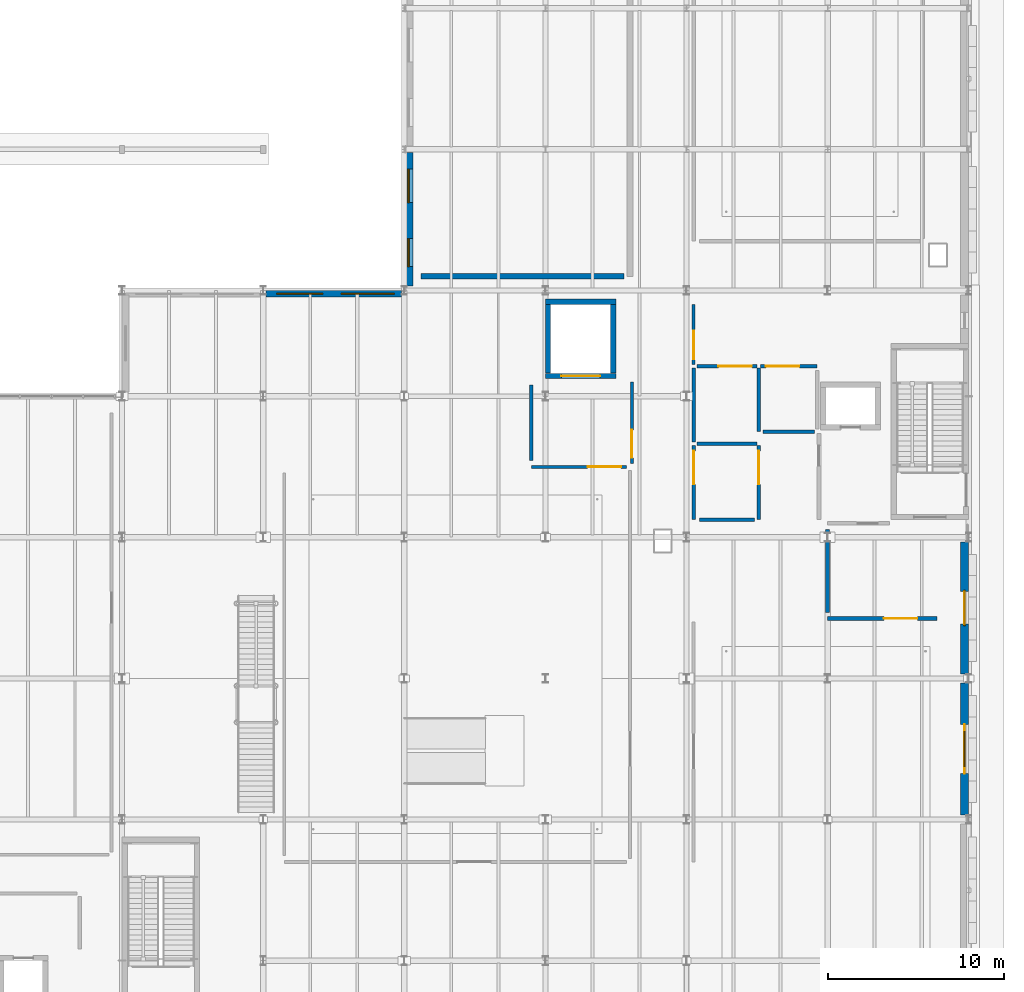
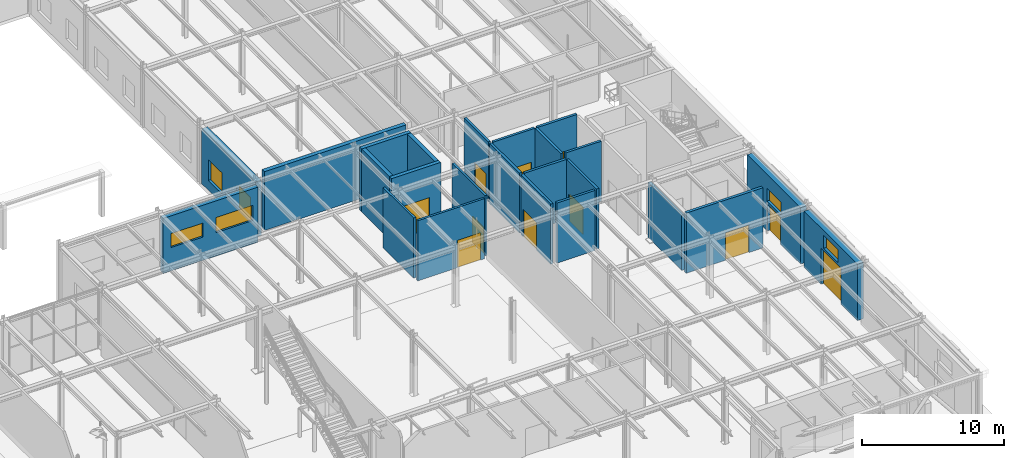
# One storey, part 85 of 129: 24 walls, 11 doors, 6 windows, 17 openings.
"""IFC4 building model written with IfcOpenShell, lengths in metres."""

from ifc_helpers import new_model, si_unit, direction, frame, frame_2d, origin, place, context, subcontext, project, spatial, rectangle, extrude, material, layer, layer_set, type_object, element, fill, save


model = new_model("IFC4")

# Units and contexts
model_context = context("Model", 3, precision=1e-05, world=origin(), true_north=direction((0.0, 1.0)))
body_context = subcontext(model_context, "Body", "Model", "MODEL_VIEW")
ifc_project = project(units=[si_unit("LENGTHUNIT", "METRE"), si_unit("AREAUNIT", "SQUARE_METRE"), si_unit("VOLUMEUNIT", "CUBIC_METRE"), si_unit("PLANEANGLEUNIT", "RADIAN"), si_unit("MASSUNIT", "GRAM", prefix="KILO")], contexts=[model_context])

# Site, building, storey
site_placement = place(None, origin())
site = spatial("IfcSite", under=ifc_project, at=site_placement, CompositionType="ELEMENT")
building_placement = place(site_placement, origin())
building = spatial("IfcBuilding", under=site, at=building_placement, Name="Sundkrona Museum", CompositionType="ELEMENT")
storey_placement = place(building_placement, origin())
storey = spatial("IfcBuildingStorey", under=building, at=storey_placement, Name="L00", CompositionType="ELEMENT", Elevation=0.0)

# Wall
ifc_material_1 = material(Name="Concrete C40/50", Category="concrete")
ifc_layer_1 = layer(ifc_material_1, 0.330078125)
ifc_layer_set_1 = layer_set([ifc_layer_1], Name="Concrete C40/50")
wall_type_1 = type_object("IfcWallType", Name="W-ARC-120", PredefinedType="SOLIDWALL", material=ifc_layer_set_1)
wall_1_placement = place(storey_placement, frame((136.949951171875, 46.800048828125, 0.0), z_axis=(0.0, 0.0, 1.0), x_axis=(1.0, 0.0, 0.0)))
element("IfcWall", 1, at=wall_1_placement, inside=storey, type_object=wall_type_1, Name="L00 Specimen Quarantine Enclosure Wall S", PredefinedType="SOLIDWALL", context=body_context, shape_type="SweptSolid", body=[
    extrude(rectangle(XDim=11.5, YDim=0.330078125, at=frame_2d((5.75, 0.0))), origin(), (0.0, 0.0, 1.0), 5.050048828125),
])

# Wall, opening, door
ifc_layer_2 = layer(ifc_material_1, 0.300048828125)
ifc_layer_set_2 = layer_set([ifc_layer_2], Name="Concrete C40/50")
wall_type_2 = type_object("IfcWallType", Name="W-CORE-300", PredefinedType="SHEAR", material=ifc_layer_set_2)
wall_2_placement = place(storey_placement, frame((144.0, 41.14990234375, 0.0), z_axis=(0.0, 0.0, 1.0), x_axis=(1.0, 0.0, 0.0)))
wall_2 = element("IfcWall", 2, at=wall_2_placement, inside=storey, type_object=wall_type_2, Name="L00 GL-1 Lift Shaft Wall South", PredefinedType="SHEAR", context=body_context, shape_type="SweptSolid", body=[
    extrude(rectangle(XDim=4.0, YDim=0.300048828125, at=frame_2d((2.0, 0.0))), origin(), (0.0, 0.0, 1.0), 5.39990234375),
])
opening_1_placement = place(wall_2_placement, frame((0.89990234375, 0.0, 0.0)))
opening_1 = element("IfcOpeningElement", 3, at=opening_1_placement, cuts=wall_2, Name="Opening LD-GL", PredefinedType="OPENING", context=body_context, shape_type="SweptSolid", body=[
    extrude(rectangle(XDim=2.199951171875, YDim=2.699951171875, at=frame_2d((1.10009765625, 1.35009765625))), frame((0.0, 0.159912109375, 0.0), z_axis=(0.0, -1.0, 0.0), x_axis=(1.0, 0.0, 0.0)), (0.0, 0.0, 1.0), 0.320068359375),
])
ifc_material_2 = material(Name="Heavy Stainless Steel Goods Lift Door", Category="steel")
door_type_1 = type_object("IfcDoorType", Name="LD-GL", OperationType="DOUBLE_DOOR_SLIDING", PredefinedType="DOOR", material=ifc_material_2)
door_1_placement = place(opening_1_placement, origin())
door_1 = element("IfcDoor", 4, at=door_1_placement, inside=storey, type_object=door_type_1, Name="L00 Goods Lift Landing Door DR-LIFT-GL-1-L00", OperationType="DOUBLE_DOOR_SLIDING", OverallHeight=2.699951171875, OverallWidth=2.199951171875, PredefinedType="DOOR", context=body_context, shape_type="SweptSolid", body=[
    extrude(rectangle(XDim=2.199951171875, YDim=2.699951171875, at=frame_2d((1.10009765625, 1.35009765625))), frame((0.0, 0.02490234375, 0.0), z_axis=(0.0, -1.0, 0.0), x_axis=(1.0, 0.0, 0.0)), (0.0, 0.0, 1.0), 0.050048828125),
])
fill(opening_1, door_1)

# Walls
wall_3_placement = place(storey_placement, frame((144.0, 45.35009765625, 0.0), z_axis=(0.0, 0.0, 1.0), x_axis=(1.0, 0.0, 0.0)))
element("IfcWall", 5, at=wall_3_placement, inside=storey, type_object=wall_type_2, Name="L00 GL-1 Lift Shaft Wall North", PredefinedType="SHEAR", context=body_context, shape_type="SweptSolid", body=[
    extrude(rectangle(XDim=4.0, YDim=0.300048828125, at=frame_2d((2.0, 0.0))), origin(), (0.0, 0.0, 1.0), 5.39990234375),
])
for number, where, z_axis, x_axis, name in (
    (6, (144.14990234375, 41.31005859375, 0.0), (0.0, 0.0, 1.0), (0.0, 1.0, 0.0), "L00 GL-1 Lift Shaft Wall West"),
    (7, (147.85009765625, 41.31005859375, 0.0), (0.0, 0.0, 1.0), (0.0, 1.0, 0.0), "L00 GL-1 Lift Shaft Wall East"),
):
    element("IfcWall", number, at=place(storey_placement, frame(where, z_axis=z_axis, x_axis=x_axis)), inside=storey, type_object=wall_type_2, Name=name, PredefinedType="SHEAR", context=body_context, shape_type="SweptSolid", body=[
        extrude(rectangle(XDim=3.8798828125, YDim=0.300048828125, at=frame_2d((1.93994140625, 0.0))), origin(), (0.0, 0.0, 1.0), 5.39990234375),
    ])

# Wall, opening, door
ifc_material_3 = material(Name="Autoclaved Aerated Masonry 225 mm", Category="masonry")
ifc_layer_3 = layer(ifc_material_3, 0.22509765625)
ifc_layer_set_3 = layer_set([ifc_layer_3], Name="Autoclaved Aerated Masonry 225 mm")
wall_type_3 = type_object("IfcWallType", Name="W-FF-225", PredefinedType="SOLIDWALL", material=ifc_layer_set_3)
wall_4_placement = place(storey_placement, frame((160.0, 27.39990234375, 0.0), z_axis=(0.0, 0.0, 1.0), x_axis=(1.0, 0.0, 0.0)))
wall_4 = element("IfcWall", 8, at=wall_4_placement, inside=storey, type_object=wall_type_3, Name="L00 Partition Fire Control Room / Earth Sciences Exhibition Hall", PredefinedType="SOLIDWALL", context=body_context, shape_type="SweptSolid", body=[
    extrude(rectangle(XDim=6.2099609375, YDim=0.22509765625, at=frame_2d((3.10498046875, 0.0))), origin(), (0.0, 0.0, 1.0), 5.159912109375),
])
opening_2_placement = place(wall_4_placement, frame((3.1923828125, 0.0, 0.0)))
opening_2 = element("IfcOpeningElement", 9, at=opening_2_placement, cuts=wall_4, Name="Opening D-AUD-190", PredefinedType="OPENING", context=body_context, shape_type="SweptSolid", body=[
    extrude(rectangle(XDim=1.89990234375, YDim=2.35009765625, at=frame_2d((0.949951171875, 1.175048828125))), frame((0.0, 0.12255859375, 0.0), z_axis=(0.0, -1.0, 0.0), x_axis=(1.0, 0.0, 0.0)), (0.0, 0.0, 1.0), 0.2451171875),
])
ifc_material_4 = material(Name="Acoustic Oak Fire Door", Category="other")
door_type_2 = type_object("IfcDoorType", Name="D-AUD-190", OperationType="DOUBLE_DOOR_SINGLE_SWING", PredefinedType="DOOR", material=ifc_material_4)
door_2_placement = place(opening_2_placement, origin())
door_2 = element("IfcDoor", 10, at=door_2_placement, inside=storey, type_object=door_type_2, Name="L00 Interior Door DR-ADJ-L00-0044", OperationType="DOUBLE_DOOR_SINGLE_SWING", OverallHeight=2.35009765625, OverallWidth=1.89990234375, PredefinedType="DOOR", context=body_context, shape_type="SweptSolid", body=[
    extrude(rectangle(XDim=1.89990234375, YDim=2.35009765625, at=frame_2d((0.949951171875, 1.175048828125))), frame((0.0, 0.02490234375, 0.0), z_axis=(0.0, -1.0, 0.0), x_axis=(1.0, 0.0, 0.0)), (0.0, 0.0, 1.0), 0.050048828125),
])
fill(opening_2, door_2)

# Wall
wall_5_placement = place(storey_placement, frame((160.0, 27.75, 0.0), z_axis=(0.0, 0.0, 1.0), x_axis=(0.0, 1.0, 0.0)))
element("IfcWall", 11, at=wall_5_placement, inside=storey, type_object=wall_type_3, Name="L00 Fire Control Room Enclosure Wall W", PredefinedType="SOLIDWALL", context=body_context, shape_type="SweptSolid", body=[
    extrude(rectangle(XDim=4.699951171875, YDim=0.22509765625, at=frame_2d((2.35009765625, 0.0))), origin(), (0.0, 0.0, 1.0), 4.719970703125),
])

# Wall, openings, door, window
ifc_material_5 = material(Name="Danian Limestone Ashlar Masonry 480 mm", Category="masonry")
ifc_layer_4 = layer(ifc_material_5, 0.47998046875)
ifc_layer_set_4 = layer_set([ifc_layer_4], Name="Danian Limestone Ashlar Masonry 480 mm")
wall_type_4 = type_object("IfcWallType", Name="W-LIM-480", PredefinedType="SOLIDWALL", material=ifc_layer_set_4)
wall_6_placement = place(storey_placement, frame((167.760009765625, 23.748046875, 0.0), z_axis=(0.0, 0.0, 1.0), x_axis=(0.0, -1.0, 0.0)))
wall_6 = element("IfcWall", 12, at=wall_6_placement, inside=storey, type_object=wall_type_4, Name="L00 Facade Wall 0006", PredefinedType="SOLIDWALL", context=body_context, shape_type="SweptSolid", body=[
    extrude(rectangle(XDim=7.49609375, YDim=0.47998046875, at=frame_2d((3.748046875, 0.0))), origin(), (0.0, 0.0, 1.0), 4.8349609375),
])
opening_3_placement = place(wall_6_placement, frame((2.347900390625, 0.0, 0.0)))
opening_3 = element("IfcOpeningElement", 13, at=opening_3_placement, cuts=wall_6, Name="Opening D-EX-280", PredefinedType="OPENING", context=body_context, shape_type="SweptSolid", body=[
    extrude(rectangle(XDim=2.800048828125, YDim=3.10009765625, at=frame_2d((1.39990234375, 1.550048828125))), frame((0.0, 0.25, 0.0), z_axis=(0.0, -1.0, 0.0), x_axis=(1.0, 0.0, 0.0)), (0.0, 0.0, 1.0), 0.5),
])
opening_4_placement = place(wall_6_placement, frame((2.748046875, 0.0, 3.320068359375)))
opening_4 = element("IfcOpeningElement", 14, at=opening_4_placement, cuts=wall_6, Name="Opening WN-CL-200x110", PredefinedType="OPENING", context=body_context, shape_type="SweptSolid", body=[
    extrude(rectangle(XDim=2.0, YDim=1.10009765625, at=frame_2d((1.0, 0.550048828125))), frame((0.0, 0.25, 0.0), z_axis=(0.0, -1.0, 0.0), x_axis=(1.0, 0.0, 0.0)), (0.0, 0.0, 1.0), 0.5),
])
ifc_material_6 = material(Name="Bronze and Triple-Glazed Entrance Door", Category="other")
door_type_3 = type_object("IfcDoorType", Name="D-EX-280", OperationType="DOUBLE_DOOR_SINGLE_SWING", PredefinedType="DOOR", material=ifc_material_6)
door_3_placement = place(opening_3_placement, origin())
door_3 = element("IfcDoor", 15, at=door_3_placement, inside=storey, type_object=door_type_3, Name="L00 Exterior Door D-EX-280 DR-FE-V1E-16", OperationType="DOUBLE_DOOR_SINGLE_SWING", OverallHeight=3.10009765625, OverallWidth=2.800048828125, PredefinedType="DOOR", context=body_context, shape_type="SweptSolid", body=[
    extrude(rectangle(XDim=2.800048828125, YDim=3.10009765625, at=frame_2d((1.39990234375, 1.550048828125))), frame((0.0, 0.02490234375, 0.0), z_axis=(0.0, -1.0, 0.0), x_axis=(1.0, 0.0, 0.0)), (0.0, 0.0, 1.0), 0.050048828125),
])
fill(opening_3, door_3)
ifc_material_7 = material(Name="Triple Low-E Argon Glazing in Bronze-Anodised Aluminium", Category="aluminium")
window_type_1 = type_object("IfcWindowType", Name="WN-CL-200x110", PartitioningType="DOUBLE_PANEL_HORIZONTAL", PredefinedType="WINDOW", material=ifc_material_7)
window_1_placement = place(opening_4_placement, origin())
window_1 = element("IfcWindow", 16, at=window_1_placement, inside=storey, type_object=window_type_1, Name="L00 Archive foyer clerestory window 2000x1100 WIN-L00-0005", OverallHeight=1.10009765625, OverallWidth=2.0, PartitioningType="DOUBLE_PANEL_HORIZONTAL", PredefinedType="WINDOW", context=body_context, shape_type="SweptSolid", body=[
    extrude(rectangle(XDim=2.0, YDim=1.10009765625, at=frame_2d((1.0, 0.550048828125))), frame((0.0, 0.030029296875, 0.0), z_axis=(0.0, -1.0, 0.0), x_axis=(1.0, 0.0, 0.0)), (0.0, 0.0, 1.0), 0.06005859375),
])
fill(opening_4, window_1)

wall_7_placement = place(storey_placement, frame((167.760009765625, 31.748046875, 0.0), z_axis=(0.0, 0.0, 1.0), x_axis=(0.0, -1.0, 0.0)))
wall_7 = element("IfcWall", 17, at=wall_7_placement, inside=storey, type_object=wall_type_4, Name="L00 Facade Wall 0007", PredefinedType="SOLIDWALL", context=body_context, shape_type="SweptSolid", body=[
    extrude(rectangle(XDim=7.49609375, YDim=0.47998046875, at=frame_2d((3.748046875, 0.0))), origin(), (0.0, 0.0, 1.0), 4.8349609375),
])
opening_5_placement = place(wall_7_placement, frame((2.822998046875, 0.0, 0.0)))
opening_5 = element("IfcOpeningElement", 18, at=opening_5_placement, cuts=wall_7, Name="Opening D-EX-185", PredefinedType="OPENING", context=body_context, shape_type="SweptSolid", body=[
    extrude(rectangle(XDim=1.85009765625, YDim=2.300048828125, at=frame_2d((0.925048828125, 1.14990234375))), frame((0.0, 0.25, 0.0), z_axis=(0.0, -1.0, 0.0), x_axis=(1.0, 0.0, 0.0)), (0.0, 0.0, 1.0), 0.5),
])
opening_6_placement = place(wall_7_placement, frame((2.748046875, 0.0, 2.52001953125)))
opening_6 = element("IfcOpeningElement", 19, at=opening_6_placement, cuts=wall_7, Name="Opening WN-CL-200x110", PredefinedType="OPENING", context=body_context, shape_type="SweptSolid", body=[
    extrude(rectangle(XDim=2.0, YDim=1.10009765625, at=frame_2d((1.0, 0.550048828125))), frame((0.0, 0.25, 0.0), z_axis=(0.0, -1.0, 0.0), x_axis=(1.0, 0.0, 0.0)), (0.0, 0.0, 1.0), 0.5),
])
ifc_material_8 = material(Name="Thermally Broken Aluminium Exit Door", Category="aluminium")
door_type_4 = type_object("IfcDoorType", Name="D-EX-185", OperationType="DOUBLE_DOOR_SINGLE_SWING", PredefinedType="DOOR", material=ifc_material_8)
door_4_placement = place(opening_5_placement, origin())
door_4 = element("IfcDoor", 20, at=door_4_placement, inside=storey, type_object=door_type_4, Name="L00 Exterior Door D-EX-185 DR-FE-V1E-24", OperationType="DOUBLE_DOOR_SINGLE_SWING", OverallHeight=2.300048828125, OverallWidth=1.85009765625, PredefinedType="DOOR", context=body_context, shape_type="SweptSolid", body=[
    extrude(rectangle(XDim=1.85009765625, YDim=2.300048828125, at=frame_2d((0.925048828125, 1.14990234375))), frame((0.0, 0.02490234375, 0.0), z_axis=(0.0, -1.0, 0.0), x_axis=(1.0, 0.0, 0.0)), (0.0, 0.0, 1.0), 0.050048828125),
])
fill(opening_5, door_4)
window_2_placement = place(opening_6_placement, origin())
window_2 = element("IfcWindow", 21, at=window_2_placement, inside=storey, type_object=window_type_1, Name="L00 Archive foyer clerestory window 2000x1100 WIN-L00-0006", OverallHeight=1.10009765625, OverallWidth=2.0, PartitioningType="DOUBLE_PANEL_HORIZONTAL", PredefinedType="WINDOW", context=body_context, shape_type="SweptSolid", body=[
    extrude(rectangle(XDim=2.0, YDim=1.10009765625, at=frame_2d((1.0, 0.550048828125))), frame((0.0, 0.030029296875, 0.0), z_axis=(0.0, -1.0, 0.0), x_axis=(1.0, 0.0, 0.0)), (0.0, 0.0, 1.0), 0.06005859375),
])
fill(opening_6, window_2)

# Wall, openings, windows
wall_8_placement = place(storey_placement, frame((136.239990234375, 46.251953125, 0.0), z_axis=(0.0, 0.0, 1.0), x_axis=(0.0, 1.0, 0.0)))
wall_8 = element("IfcWall", 22, at=wall_8_placement, inside=storey, type_object=wall_type_4, Name="L00 Facade Wall 0274", PredefinedType="SOLIDWALL", context=body_context, shape_type="SweptSolid", body=[
    extrude(rectangle(XDim=7.566162109375, YDim=0.47998046875, at=frame_2d((3.783203125, 0.0))), origin(), (0.0, 0.0, 1.0), 4.72509765625),
])
opening_7_placement = place(wall_8_placement, frame((1.091552734375, 0.0, 0.85009765625)))
opening_7 = element("IfcOpeningElement", 23, at=opening_7_placement, cuts=wall_8, Name="Opening WN-LB-160x180", PredefinedType="OPENING", context=body_context, shape_type="SweptSolid", body=[
    extrude(rectangle(XDim=1.60009765625, YDim=1.800048828125, at=frame_2d((0.800048828125, 0.89990234375))), frame((0.0, 0.25, 0.0), z_axis=(0.0, -1.0, 0.0), x_axis=(1.0, 0.0, 0.0)), (0.0, 0.0, 1.0), 0.5),
])
opening_8_placement = place(wall_8_placement, frame((4.724609375, 0.0, 0.85009765625)))
opening_8 = element("IfcOpeningElement", 24, at=opening_8_placement, cuts=wall_8, Name="Opening WN-LB-190x180", PredefinedType="OPENING", context=body_context, shape_type="SweptSolid", body=[
    extrude(rectangle(XDim=1.89990234375, YDim=1.800048828125, at=frame_2d((0.949951171875, 0.89990234375))), frame((0.0, 0.25, 0.0), z_axis=(0.0, -1.0, 0.0), x_axis=(1.0, 0.0, 0.0)), (0.0, 0.0, 1.0), 0.5),
])
window_type_2 = type_object("IfcWindowType", Name="WN-LB-160x180", PartitioningType="DOUBLE_PANEL_VERTICAL", PredefinedType="WINDOW", material=ifc_material_7)
window_3_placement = place(opening_7_placement, origin())
window_3 = element("IfcWindow", 25, at=window_3_placement, inside=storey, type_object=window_type_2, Name="L00 Conservation laboratory deep-reveal window 1600x1800 WIN-L00-0375", OverallHeight=1.800048828125, OverallWidth=1.60009765625, PartitioningType="DOUBLE_PANEL_VERTICAL", PredefinedType="WINDOW", context=body_context, shape_type="SweptSolid", body=[
    extrude(rectangle(XDim=1.60009765625, YDim=1.800048828125, at=frame_2d((0.800048828125, 0.89990234375))), frame((0.0, 0.030029296875, 0.0), z_axis=(0.0, -1.0, 0.0), x_axis=(1.0, 0.0, 0.0)), (0.0, 0.0, 1.0), 0.06005859375),
])
fill(opening_7, window_3)
window_type_3 = type_object("IfcWindowType", Name="WN-LB-190x180", PartitioningType="DOUBLE_PANEL_VERTICAL", PredefinedType="WINDOW", material=ifc_material_7)
window_4_placement = place(opening_8_placement, origin())
window_4 = element("IfcWindow", 26, at=window_4_placement, inside=storey, type_object=window_type_3, Name="L00 Analytical studio bench-height window 1900x1800 WIN-L00-0376", OverallHeight=1.800048828125, OverallWidth=1.89990234375, PartitioningType="DOUBLE_PANEL_VERTICAL", PredefinedType="WINDOW", context=body_context, shape_type="SweptSolid", body=[
    extrude(rectangle(XDim=1.89990234375, YDim=1.800048828125, at=frame_2d((0.949951171875, 0.89990234375))), frame((0.0, 0.030029296875, 0.0), z_axis=(0.0, -1.0, 0.0), x_axis=(1.0, 0.0, 0.0)), (0.0, 0.0, 1.0), 0.06005859375),
])
fill(opening_8, window_4)

# Wall, opening, door
ifc_material_9 = material(Name="Fire-rated Gypsum Partition Board 175 mm", Category="other")
ifc_layer_5 = layer(ifc_material_9, 0.175048828125)
ifc_layer_set_5 = layer_set([ifc_layer_5], Name="Fire-rated Gypsum Partition Board 175 mm")
wall_type_5 = type_object("IfcWallType", Name="W-PT-175", PredefinedType="PARTITIONING", material=ifc_layer_set_5)
wall_9_placement = place(storey_placement, frame((148.89990234375, 36.199951171875, 0.0), z_axis=(0.0, 0.0, 1.0), x_axis=(0.0, 1.0, 0.0)))
wall_9 = element("IfcWall", 27, at=wall_9_placement, inside=storey, type_object=wall_type_5, Name="L00 Partition Goods Lift Lobby / East Logistics Corridor", PredefinedType="PARTITIONING", context=body_context, shape_type="SweptSolid", body=[
    extrude(rectangle(XDim=4.60009765625, YDim=0.175048828125, at=frame_2d((2.300048828125, 0.0))), origin(), (0.0, 0.0, 1.0), 5.159912109375),
])
opening_9_placement = place(wall_9_placement, frame((0.300048828125, 0.0, 0.0)))
opening_9 = element("IfcOpeningElement", 28, at=opening_9_placement, cuts=wall_9, Name="Opening D-CMP-160", PredefinedType="OPENING", context=body_context, shape_type="SweptSolid", body=[
    extrude(rectangle(XDim=1.60009765625, YDim=2.25, at=frame_2d((0.800048828125, 1.125))), frame((0.0, 0.097412109375, 0.0), z_axis=(0.0, -1.0, 0.0), x_axis=(1.0, 0.0, 0.0)), (0.0, 0.0, 1.0), 0.195068359375),
])
ifc_material_10 = material(Name="Glazed Steel Fire Screen Door", Category="steel")
door_type_5 = type_object("IfcDoorType", Name="D-CMP-160", OperationType="DOUBLE_DOOR_SINGLE_SWING", PredefinedType="DOOR", material=ifc_material_10)
door_5_placement = place(opening_9_placement, origin())
door_5 = element("IfcDoor", 29, at=door_5_placement, inside=storey, type_object=door_type_5, Name="L00 Interior Door DR-ADJ-L00-0029", OperationType="DOUBLE_DOOR_SINGLE_SWING", OverallHeight=2.25, OverallWidth=1.60009765625, PredefinedType="DOOR", context=body_context, shape_type="SweptSolid", body=[
    extrude(rectangle(XDim=1.60009765625, YDim=2.25, at=frame_2d((0.800048828125, 1.125))), frame((0.0, 0.02490234375, 0.0), z_axis=(0.0, -1.0, 0.0), x_axis=(1.0, 0.0, 0.0)), (0.0, 0.0, 1.0), 0.050048828125),
])
fill(opening_9, door_5)

wall_10_placement = place(storey_placement, frame((143.199951171875, 36.0, 0.0), z_axis=(0.0, 0.0, 1.0), x_axis=(1.0, 0.0, 0.0)))
wall_10 = element("IfcWall", 30, at=wall_10_placement, inside=storey, type_object=wall_type_5, Name="L00 Partition Goods Lift Lobby / Natural History Gallery", PredefinedType="PARTITIONING", context=body_context, shape_type="SweptSolid", body=[
    extrude(rectangle(XDim=5.400146484375, YDim=0.175048828125, at=frame_2d((2.7001953125, 0.0))), origin(), (0.0, 0.0, 1.0), 5.159912109375),
])
opening_10_placement = place(wall_10_placement, frame((3.199951171875, 0.0, 0.0)))
opening_10 = element("IfcOpeningElement", 31, at=opening_10_placement, cuts=wall_10, Name="Opening D-AUD-190", PredefinedType="OPENING", context=body_context, shape_type="SweptSolid", body=[
    extrude(rectangle(XDim=1.89990234375, YDim=2.35009765625, at=frame_2d((0.949951171875, 1.175048828125))), frame((0.0, 0.097412109375, 0.0), z_axis=(0.0, -1.0, 0.0), x_axis=(1.0, 0.0, 0.0)), (0.0, 0.0, 1.0), 0.195068359375),
])
door_6_placement = place(opening_10_placement, origin())
door_6 = element("IfcDoor", 32, at=door_6_placement, inside=storey, type_object=door_type_2, Name="L00 Interior Door DR-ADJ-L00-0030", OperationType="DOUBLE_DOOR_SINGLE_SWING", OverallHeight=2.35009765625, OverallWidth=1.89990234375, PredefinedType="DOOR", context=body_context, shape_type="SweptSolid", body=[
    extrude(rectangle(XDim=1.89990234375, YDim=2.35009765625, at=frame_2d((0.949951171875, 1.175048828125))), frame((0.0, 0.02490234375, 0.0), z_axis=(0.0, -1.0, 0.0), x_axis=(1.0, 0.0, 0.0)), (0.0, 0.0, 1.0), 0.050048828125),
])
fill(opening_10, door_6)

wall_11_placement = place(storey_placement, frame((152.39990234375, 41.800048828125, 0.0), z_axis=(0.0, 0.0, 1.0), x_axis=(0.0, 1.0, 0.0)))
wall_11 = element("IfcWall", 33, at=wall_11_placement, inside=storey, type_object=wall_type_5, Name="L00 Partition Sanitary WC Lobby / East Logistics Corridor", PredefinedType="PARTITIONING", context=body_context, shape_type="SweptSolid", body=[
    extrude(rectangle(XDim=3.39990234375, YDim=0.175048828125, at=frame_2d((1.699951171875, 0.0))), origin(), (0.0, 0.0, 1.0), 5.159912109375),
])
opening_11_placement = place(wall_11_placement, frame((0.300048828125, 0.0, 0.0)))
opening_11 = element("IfcOpeningElement", 34, at=opening_11_placement, cuts=wall_11, Name="Opening D-CMP-160", PredefinedType="OPENING", context=body_context, shape_type="SweptSolid", body=[
    extrude(rectangle(XDim=1.60009765625, YDim=2.25, at=frame_2d((0.800048828125, 1.125))), frame((0.0, 0.097412109375, 0.0), z_axis=(0.0, -1.0, 0.0), x_axis=(1.0, 0.0, 0.0)), (0.0, 0.0, 1.0), 0.195068359375),
])
door_7_placement = place(opening_11_placement, origin())
door_7 = element("IfcDoor", 35, at=door_7_placement, inside=storey, type_object=door_type_5, Name="L00 Interior Door DR-ADJ-L00-0033", OperationType="DOUBLE_DOOR_SINGLE_SWING", OverallHeight=2.25, OverallWidth=1.60009765625, PredefinedType="DOOR", context=body_context, shape_type="SweptSolid", body=[
    extrude(rectangle(XDim=1.60009765625, YDim=2.25, at=frame_2d((0.800048828125, 1.125))), frame((0.0, 0.02490234375, 0.0), z_axis=(0.0, -1.0, 0.0), x_axis=(1.0, 0.0, 0.0)), (0.0, 0.0, 1.0), 0.050048828125),
])
fill(opening_11, door_7)

# Wall
wall_12_placement = place(storey_placement, frame((143.199951171875, 36.35009765625, 0.0), z_axis=(0.0, 0.0, 1.0), x_axis=(0.0, 1.0, 0.0)))
element("IfcWall", 36, at=wall_12_placement, inside=storey, type_object=wall_type_5, Name="L00 Goods Lift Lobby Enclosure Wall W", PredefinedType="PARTITIONING", context=body_context, shape_type="SweptSolid", body=[
    extrude(rectangle(XDim=4.2998046875, YDim=0.175048828125, at=frame_2d((2.14990234375, 0.0))), origin(), (0.0, 0.0, 1.0), 5.159912109375),
])

# Wall, opening, door
ifc_material_11 = material(Name="Moisture-resistant Tile Partition 200 mm", Category="other")
ifc_layer_6 = layer(ifc_material_11, 0.199951171875)
ifc_layer_set_6 = layer_set([ifc_layer_6], Name="Moisture-resistant Tile Partition 200 mm")
wall_type_6 = type_object("IfcWallType", Name="W-PT-200", PredefinedType="PARTITIONING", material=ifc_layer_set_6)
wall_13_placement = place(storey_placement, frame((152.60009765625, 41.699951171875, 0.0), z_axis=(0.0, 0.0, 1.0), x_axis=(1.0, 0.0, 0.0)))
wall_13 = element("IfcWall", 37, at=wall_13_placement, inside=storey, type_object=wall_type_6, Name="L00 Partition Sanitary WC Lobby / Female Toilet", PredefinedType="PARTITIONING", context=body_context, shape_type="SweptSolid", body=[
    extrude(rectangle(XDim=3.39990234375, YDim=0.199951171875, at=frame_2d((1.699951171875, 0.0))), origin(), (0.0, 0.0, 1.0), 5.159912109375),
])
opening_12_placement = place(wall_13_placement, frame((1.199951171875, 0.0, 0.0)))
opening_12 = element("IfcOpeningElement", 38, at=opening_12_placement, cuts=wall_13, Name="Opening D-AUD-190", PredefinedType="OPENING", context=body_context, shape_type="SweptSolid", body=[
    extrude(rectangle(XDim=1.89990234375, YDim=2.35009765625, at=frame_2d((0.949951171875, 1.175048828125))), frame((0.0, 0.10986328125, 0.0), z_axis=(0.0, -1.0, 0.0), x_axis=(1.0, 0.0, 0.0)), (0.0, 0.0, 1.0), 0.219970703125),
])
door_8_placement = place(opening_12_placement, origin())
door_8 = element("IfcDoor", 39, at=door_8_placement, inside=storey, type_object=door_type_2, Name="L00 Interior Door DR-ADJ-L00-0031", OperationType="DOUBLE_DOOR_SINGLE_SWING", OverallHeight=2.35009765625, OverallWidth=1.89990234375, PredefinedType="DOOR", context=body_context, shape_type="SweptSolid", body=[
    extrude(rectangle(XDim=1.89990234375, YDim=2.35009765625, at=frame_2d((0.949951171875, 1.175048828125))), frame((0.0, 0.02490234375, 0.0), z_axis=(0.0, -1.0, 0.0), x_axis=(1.0, 0.0, 0.0)), (0.0, 0.0, 1.0), 0.050048828125),
])
fill(opening_12, door_8)

wall_14_placement = place(storey_placement, frame((156.199951171875, 41.699951171875, 0.0), z_axis=(0.0, 0.0, 1.0), x_axis=(1.0, 0.0, 0.0)))
wall_14 = element("IfcWall", 40, at=wall_14_placement, inside=storey, type_object=wall_type_6, Name="L00 Partition Sanitary WC Lobby / Accessible WC", PredefinedType="PARTITIONING", context=body_context, shape_type="SweptSolid", body=[
    extrude(rectangle(XDim=3.199951171875, YDim=0.199951171875, at=frame_2d((1.60009765625, 0.0))), origin(), (0.0, 0.0, 1.0), 5.159912109375),
])
opening_13_placement = place(wall_14_placement, frame((0.300048828125, 0.0, 0.0)))
opening_13 = element("IfcOpeningElement", 41, at=opening_13_placement, cuts=wall_14, Name="Opening D-AUD-190", PredefinedType="OPENING", context=body_context, shape_type="SweptSolid", body=[
    extrude(rectangle(XDim=1.89990234375, YDim=2.35009765625, at=frame_2d((0.949951171875, 1.175048828125))), frame((0.0, 0.10986328125, 0.0), z_axis=(0.0, -1.0, 0.0), x_axis=(1.0, 0.0, 0.0)), (0.0, 0.0, 1.0), 0.219970703125),
])
door_9_placement = place(opening_13_placement, origin())
door_9 = element("IfcDoor", 42, at=door_9_placement, inside=storey, type_object=door_type_2, Name="L00 Interior Door DR-ADJ-L00-0032", OperationType="DOUBLE_DOOR_SINGLE_SWING", OverallHeight=2.35009765625, OverallWidth=1.89990234375, PredefinedType="DOOR", context=body_context, shape_type="SweptSolid", body=[
    extrude(rectangle(XDim=1.89990234375, YDim=2.35009765625, at=frame_2d((0.949951171875, 1.175048828125))), frame((0.0, 0.02490234375, 0.0), z_axis=(0.0, -1.0, 0.0), x_axis=(1.0, 0.0, 0.0)), (0.0, 0.0, 1.0), 0.050048828125),
])
fill(opening_13, door_9)

# Wall
wall_15_placement = place(storey_placement, frame((152.60009765625, 37.300048828125, 0.0), z_axis=(0.0, 0.0, 1.0), x_axis=(1.0, 0.0, 0.0)))
element("IfcWall", 43, at=wall_15_placement, inside=storey, type_object=wall_type_6, Name="L00 Partition Male Toilet / Female Toilet", PredefinedType="PARTITIONING", context=body_context, shape_type="SweptSolid", body=[
    extrude(rectangle(XDim=3.39990234375, YDim=0.199951171875, at=frame_2d((1.699951171875, 0.0))), origin(), (0.0, 0.0, 1.0), 5.159912109375),
])

# Wall, opening, door
wall_16_placement = place(storey_placement, frame((152.39990234375, 33.0, 0.0), z_axis=(0.0, 0.0, 1.0), x_axis=(0.0, 1.0, 0.0)))
wall_16 = element("IfcWall", 44, at=wall_16_placement, inside=storey, type_object=wall_type_6, Name="L00 Partition Male Toilet / East Logistics Corridor", PredefinedType="PARTITIONING", context=body_context, shape_type="SweptSolid", body=[
    extrude(rectangle(XDim=4.199951171875, YDim=0.199951171875, at=frame_2d((2.10009765625, 0.0))), origin(), (0.0, 0.0, 1.0), 5.159912109375),
])
opening_14_placement = place(wall_16_placement, frame((2.0, 0.0, 0.0)))
opening_14 = element("IfcOpeningElement", 45, at=opening_14_placement, cuts=wall_16, Name="Opening D-AUD-190", PredefinedType="OPENING", context=body_context, shape_type="SweptSolid", body=[
    extrude(rectangle(XDim=1.89990234375, YDim=2.35009765625, at=frame_2d((0.949951171875, 1.175048828125))), frame((0.0, 0.10986328125, 0.0), z_axis=(0.0, -1.0, 0.0), x_axis=(1.0, 0.0, 0.0)), (0.0, 0.0, 1.0), 0.219970703125),
])
door_10_placement = place(opening_14_placement, origin())
door_10 = element("IfcDoor", 46, at=door_10_placement, inside=storey, type_object=door_type_2, Name="L00 Interior Door DR-ADJ-L00-0034", OperationType="DOUBLE_DOOR_SINGLE_SWING", OverallHeight=2.35009765625, OverallWidth=1.89990234375, PredefinedType="DOOR", context=body_context, shape_type="SweptSolid", body=[
    extrude(rectangle(XDim=1.89990234375, YDim=2.35009765625, at=frame_2d((0.949951171875, 1.175048828125))), frame((0.0, 0.02490234375, 0.0), z_axis=(0.0, -1.0, 0.0), x_axis=(1.0, 0.0, 0.0)), (0.0, 0.0, 1.0), 0.050048828125),
])
fill(opening_14, door_10)

wall_17_placement = place(storey_placement, frame((156.10009765625, 33.0, 0.0), z_axis=(0.0, 0.0, 1.0), x_axis=(0.0, 1.0, 0.0)))
wall_17 = element("IfcWall", 47, at=wall_17_placement, inside=storey, type_object=wall_type_6, Name="L00 Partition Male Toilet / Core 1 Ground Link", PredefinedType="PARTITIONING", context=body_context, shape_type="SweptSolid", body=[
    extrude(rectangle(XDim=4.199951171875, YDim=0.199951171875, at=frame_2d((2.10009765625, 0.0))), origin(), (0.0, 0.0, 1.0), 5.159912109375),
])
opening_15_placement = place(wall_17_placement, frame((2.0, 0.0, 0.0)))
opening_15 = element("IfcOpeningElement", 48, at=opening_15_placement, cuts=wall_17, Name="Opening D-AUD-190", PredefinedType="OPENING", context=body_context, shape_type="SweptSolid", body=[
    extrude(rectangle(XDim=1.89990234375, YDim=2.35009765625, at=frame_2d((0.949951171875, 1.175048828125))), frame((0.0, 0.10986328125, 0.0), z_axis=(0.0, -1.0, 0.0), x_axis=(1.0, 0.0, 0.0)), (0.0, 0.0, 1.0), 0.219970703125),
])
door_11_placement = place(opening_15_placement, origin())
door_11 = element("IfcDoor", 49, at=door_11_placement, inside=storey, type_object=door_type_2, Name="L00 Interior Door DR-ADJ-L00-0035", OperationType="DOUBLE_DOOR_SINGLE_SWING", OverallHeight=2.35009765625, OverallWidth=1.89990234375, PredefinedType="DOOR", context=body_context, shape_type="SweptSolid", body=[
    extrude(rectangle(XDim=1.89990234375, YDim=2.35009765625, at=frame_2d((0.949951171875, 1.175048828125))), frame((0.0, 0.02490234375, 0.0), z_axis=(0.0, -1.0, 0.0), x_axis=(1.0, 0.0, 0.0)), (0.0, 0.0, 1.0), 0.050048828125),
])
fill(opening_15, door_11)

# Walls
wall_18_placement = place(storey_placement, frame((156.10009765625, 38.0, 0.0), z_axis=(0.0, 0.0, 1.0), x_axis=(0.0, 1.0, 0.0)))
element("IfcWall", 50, at=wall_18_placement, inside=storey, type_object=wall_type_6, Name="L00 Partition Female Toilet / Accessible WC", PredefinedType="PARTITIONING", context=body_context, shape_type="SweptSolid", body=[
    extrude(rectangle(XDim=3.60009765625, YDim=0.199951171875, at=frame_2d((1.800048828125, 0.0))), origin(), (0.0, 0.0, 1.0), 5.159912109375),
])
wall_19_placement = place(storey_placement, frame((152.39990234375, 37.39990234375, 0.0), z_axis=(0.0, 0.0, 1.0), x_axis=(0.0, 1.0, 0.0)))
element("IfcWall", 51, at=wall_19_placement, inside=storey, type_object=wall_type_6, Name="L00 Partition Female Toilet / East Logistics Corridor", PredefinedType="PARTITIONING", context=body_context, shape_type="SweptSolid", body=[
    extrude(rectangle(XDim=4.2001953125, YDim=0.199951171875, at=frame_2d((2.10009765625, 0.0))), origin(), (0.0, 0.0, 1.0), 5.159912109375),
])
wall_20_placement = place(storey_placement, frame((152.75, 33.0, 0.0), z_axis=(0.0, 0.0, 1.0), x_axis=(1.0, 0.0, 0.0)))
element("IfcWall", 52, at=wall_20_placement, inside=storey, type_object=wall_type_6, Name="L00 Male Toilet Enclosure Wall S", PredefinedType="PARTITIONING", context=body_context, shape_type="SweptSolid", body=[
    extrude(rectangle(XDim=3.10009765625, YDim=0.199951171875, at=frame_2d((1.550048828125, 0.0))), origin(), (0.0, 0.0, 1.0), 5.159912109375),
])
wall_21_placement = place(storey_placement, frame((156.35009765625, 38.0, 0.0), z_axis=(0.0, 0.0, 1.0), x_axis=(1.0, 0.0, 0.0)))
element("IfcWall", 53, at=wall_21_placement, inside=storey, type_object=wall_type_6, Name="L00 Accessible WC Enclosure Wall S", PredefinedType="PARTITIONING", context=body_context, shape_type="SweptSolid", body=[
    extrude(rectangle(XDim=2.89990234375, YDim=0.199951171875, at=frame_2d((1.449951171875, 0.0))), origin(), (0.0, 0.0, 1.0), 5.159912109375),
])

# Wall, openings, windows
ifc_material_12 = material(Name="Vitrified Stoneware Mosaic Cladding 360 mm", Category="masonry")
ifc_layer_7 = layer(ifc_material_12, 0.360107421875)
ifc_layer_set_7 = layer_set([ifc_layer_7], Name="Vitrified Stoneware Mosaic Cladding 360 mm")
wall_type_7 = type_object("IfcWallType", Name="W-SP-360", PredefinedType="ELEMENTEDWALL", material=ifc_layer_set_7)
wall_22_placement = place(storey_placement, frame((128.152099609375, 45.820068359375, 0.0), z_axis=(0.0, 0.0, 1.0), x_axis=(1.0, 0.0, 0.0)))
wall_22 = element("IfcWall", 54, at=wall_22_placement, inside=storey, type_object=wall_type_7, Name="L00 Facade Wall 0010", PredefinedType="ELEMENTEDWALL", context=body_context, shape_type="SweptSolid", body=[
    extrude(rectangle(XDim=7.69580078125, YDim=0.360107421875, at=frame_2d((3.847900390625, 0.0))), origin(), (0.0, 0.0, 1.0), 4.72509765625),
])
opening_16_placement = place(wall_22_placement, frame((0.6240234375, 0.0, 2.0)))
opening_16 = element("IfcOpeningElement", 55, at=opening_16_placement, cuts=wall_22, Name="Opening WN-CL-260x120", PredefinedType="OPENING", context=body_context, shape_type="SweptSolid", body=[
    extrude(rectangle(XDim=2.60009765625, YDim=1.199951171875, at=frame_2d((1.300048828125, 0.60009765625))), frame((0.0, 0.18994140625, 0.0), z_axis=(0.0, -1.0, 0.0), x_axis=(1.0, 0.0, 0.0)), (0.0, 0.0, 1.0), 0.380126953125),
])
opening_17_placement = place(wall_22_placement, frame((4.27197265625, 0.0, 2.0)))
opening_17 = element("IfcOpeningElement", 56, at=opening_17_placement, cuts=wall_22, Name="Opening WN-CL-300x130", PredefinedType="OPENING", context=body_context, shape_type="SweptSolid", body=[
    extrude(rectangle(XDim=3.0, YDim=1.300048828125, at=frame_2d((1.5, 0.64990234375))), frame((0.0, 0.18994140625, 0.0), z_axis=(0.0, -1.0, 0.0), x_axis=(1.0, 0.0, 0.0)), (0.0, 0.0, 1.0), 0.380126953125),
])
window_type_4 = type_object("IfcWindowType", Name="WN-CL-260x120", PartitioningType="DOUBLE_PANEL_HORIZONTAL", PredefinedType="WINDOW", material=ifc_material_7)
window_5_placement = place(opening_16_placement, origin())
window_5 = element("IfcWindow", 57, at=window_5_placement, inside=storey, type_object=window_type_4, Name="L00 High-level gallery clerestory ribbon window 2600x1200 WIN-L00-0010", OverallHeight=1.199951171875, OverallWidth=2.60009765625, PartitioningType="DOUBLE_PANEL_HORIZONTAL", PredefinedType="WINDOW", context=body_context, shape_type="SweptSolid", body=[
    extrude(rectangle(XDim=2.60009765625, YDim=1.199951171875, at=frame_2d((1.300048828125, 0.60009765625))), frame((0.0, 0.030029296875, 0.0), z_axis=(0.0, -1.0, 0.0), x_axis=(1.0, 0.0, 0.0)), (0.0, 0.0, 1.0), 0.06005859375),
])
fill(opening_16, window_5)
window_type_5 = type_object("IfcWindowType", Name="WN-CL-300x130", PartitioningType="TRIPLE_PANEL_HORIZONTAL", PredefinedType="WINDOW", material=ifc_material_7)
window_6_placement = place(opening_17_placement, origin())
window_6 = element("IfcWindow", 58, at=window_6_placement, inside=storey, type_object=window_type_5, Name="L00 Exhibition clerestory window 3000x1300 WIN-L00-0011", OverallHeight=1.300048828125, OverallWidth=3.0, PartitioningType="TRIPLE_PANEL_HORIZONTAL", PredefinedType="WINDOW", context=body_context, shape_type="SweptSolid", body=[
    extrude(rectangle(XDim=3.0, YDim=1.300048828125, at=frame_2d((1.5, 0.64990234375))), frame((0.0, 0.030029296875, 0.0), z_axis=(0.0, -1.0, 0.0), x_axis=(1.0, 0.0, 0.0)), (0.0, 0.0, 1.0), 0.06005859375),
])
fill(opening_17, window_6)

save(model, "model.ifc")
